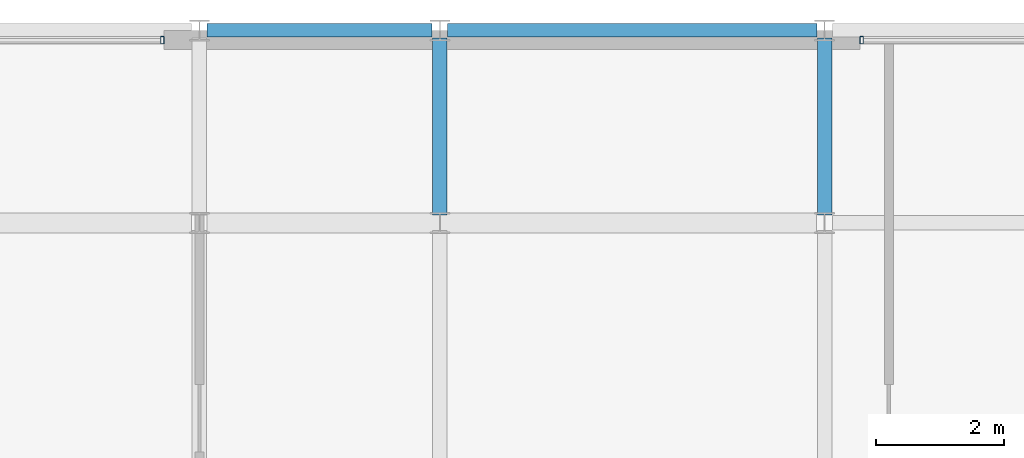
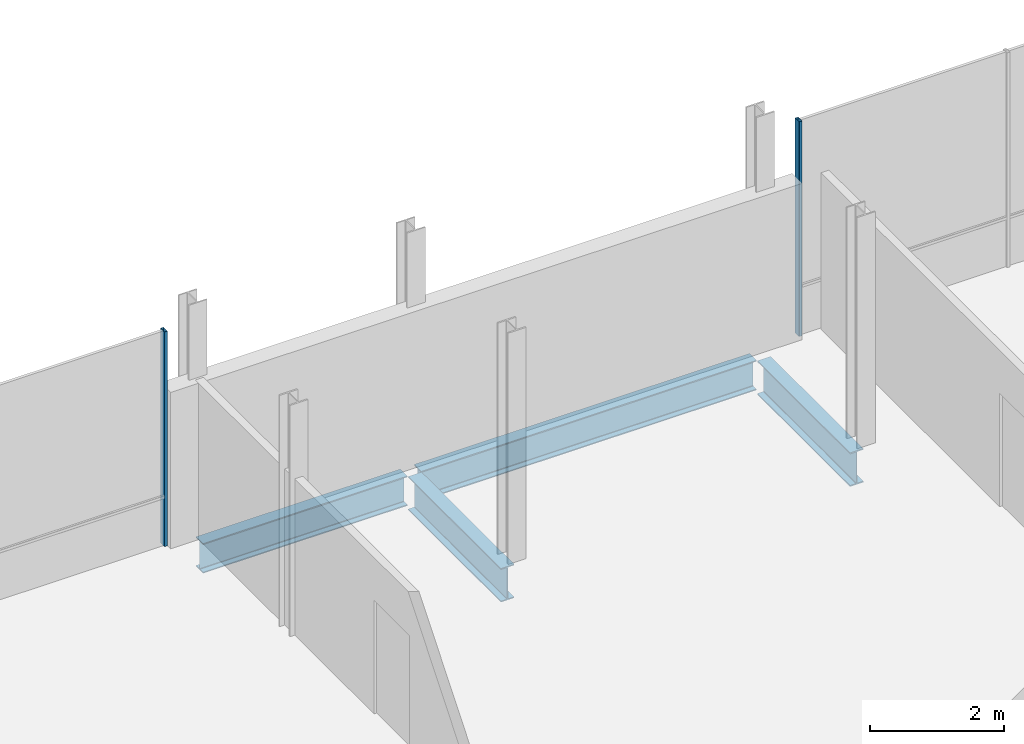
# One storey, part 4 of 11: 4 beams, 2 members, 2 elements without a shape of their own.
"""IFC4 building model written with IfcOpenShell, lengths in metres."""

from ifc_helpers import new_model, si_unit, direction, frame, origin, origin_2d, place, context, subcontext, project, spatial, hollow_rectangle, i_section, extrude, material, layer, layer_set, material_profile, profile_set, type_object, element, aggregate, save


model = new_model("IFC4")

# Units and contexts
model_context = context("Model", 3, precision=1e-05, world=origin(), true_north=direction((0.0, 1.0)))
body_context = subcontext(model_context, "Body", "Model", "MODEL_VIEW")
ifc_project = project(units=[si_unit("LENGTHUNIT", "METRE"), si_unit("AREAUNIT", "SQUARE_METRE"), si_unit("VOLUMEUNIT", "CUBIC_METRE"), si_unit("PLANEANGLEUNIT", "RADIAN"), si_unit("MASSUNIT", "GRAM", prefix="KILO")], contexts=[model_context])

# Site, building, storey
site_placement = place(None, origin())
site = spatial("IfcSite", under=ifc_project, at=site_placement, CompositionType="ELEMENT")
building_placement = place(site_placement, origin())
building = spatial("IfcBuilding", under=site, at=building_placement, Name="Brevholm Reach", CompositionType="ELEMENT")
storey_placement = place(building_placement, frame((0.0, 0.0, 247.25)))
storey = spatial("IfcBuildingStorey", under=building, at=storey_placement, Name="L75", CompositionType="ELEMENT", Elevation=247.25)

# Beams
ifc_material_1 = material(Name="Structural Steel S355J2", Category="steel")
ifc_material_profile_1 = material_profile(ifc_material_1, i_section(OverallWidth=0.210693359375, OverallDepth=0.53955078125, WebThickness=0.01171875, FlangeThickness=0.018798828125, FilletRadius=0.0126953125, at=origin_2d()), Name="UKB 533x210x109")
ifc_profile_set_1 = profile_set([ifc_material_profile_1], Name="Structural Steel S355J2")
beam_type_1 = type_object("IfcBeamType", Name="BM-SP539", PredefinedType="SPANDREL", material=ifc_profile_set_1)
beam_1_placement = place(storey_placement, frame((38.3701171875, 26.5, -0.52978515625), z_axis=(1.0, 0.0, 0.0), x_axis=(0.0, 1.0, 0.0)))
element("IfcBeam", 1, at=beam_1_placement, inside=storey, type_object=beam_type_1, Name="L75 SP-01B Framing Beam", PredefinedType="SPANDREL", context=body_context, shape_type="SweptSolid", body=[
    extrude(i_section(OverallWidth=0.210693359375, OverallDepth=0.53955078125, WebThickness=0.01171875, FlangeThickness=0.018798828125, FilletRadius=0.0126953125, at=origin_2d()), origin(), (0.0, 0.0, 1.0), 3.509765625),
])
beam_2_placement = place(storey_placement, frame((42.1201171875, 26.5, -0.52978515625), z_axis=(1.0, 0.0, 0.0), x_axis=(0.0, 1.0, 0.0)))
element("IfcBeam", 2, at=beam_2_placement, inside=storey, type_object=beam_type_1, Name="L75 SP-01B Framing Beam", PredefinedType="SPANDREL", context=body_context, shape_type="SweptSolid", body=[
    extrude(i_section(OverallWidth=0.210693359375, OverallDepth=0.53955078125, WebThickness=0.01171875, FlangeThickness=0.018798828125, FilletRadius=0.0126953125, at=origin_2d()), origin(), (0.0, 0.0, 1.0), 5.759765625),
])
ifc_material_2 = material(Name="Structural Steel S355J2", Category="steel")
ifc_material_profile_2 = material_profile(ifc_material_2, i_section(OverallWidth=0.22900390625, OverallDepth=0.6123046875, WebThickness=0.011962890625, FlangeThickness=0.01953125, FilletRadius=0.0126953125, at=origin_2d()), Name="UKB 610x229x125")
ifc_profile_set_2 = profile_set([ifc_material_profile_2], Name="Structural Steel S355J2")
beam_type_2 = type_object("IfcBeamType", Name="BM-SP610", PredefinedType="SPANDREL", material=ifc_profile_set_2)
for number, where, z_axis, x_axis, name in (
    (3, (42.0, 23.6201171875, -0.566162109375), (0.0, 1.0, 0.0), (-1.0, 0.0, 0.0), "L75 SP-01 Framing Beam"),
    (4, (48.0, 23.6201171875, -0.566162109375), (0.0, 1.0, 0.0), (-1.0, 0.0, 0.0), "L75 SP-01 Framing Beam"),
):
    element("IfcBeam", number, at=place(storey_placement, frame(where, z_axis=z_axis, x_axis=x_axis)), inside=storey, type_object=beam_type_2, Name=name, PredefinedType="SPANDREL", context=body_context, shape_type="SweptSolid", body=[
        extrude(i_section(OverallWidth=0.22900390625, OverallDepth=0.6123046875, WebThickness=0.011962890625, FlangeThickness=0.01953125, FilletRadius=0.0126953125, at=origin_2d()), origin(), (0.0, 0.0, 1.0), 2.759765625),
    ])

# Curtain wall, member
ifc_material_3 = material(Name="Dark Anodised Aluminium 6063-T6 and Solar-Control Glass", Category="aluminium")
ifc_layer = layer(ifc_material_3, 0.1201171875)
ifc_layer_set = layer_set([ifc_layer], Name="Dark Anodised Aluminium 6063-T6 and Solar-Control Glass")
curtain_wall_type = type_object("IfcCurtainWallType", Name="CW-06", PredefinedType="NOTDEFINED", material=ifc_layer_set)
curtain_wall_1_placement = place(storey_placement, origin())
curtain_wall_1 = element("IfcCurtainWall", 5, at=curtain_wall_1_placement, inside=storey, type_object=curtain_wall_type, Name="L75 Curtain Wall CW-06", PredefinedType="NOTDEFINED")
ifc_material_4 = material(Name="Dark Anodised Aluminium 6063-T6", Category="aluminium")
ifc_material_profile_3 = material_profile(ifc_material_4, hollow_rectangle(XDim=0.054931640625, YDim=0.1201171875, WallThickness=0.00390625, InnerFilletRadius=0.00390625, OuterFilletRadius=0.008056640625, at=origin_2d()), Name="RHS 120x55x4")
ifc_profile_set_3 = profile_set([ifc_material_profile_3], Name="Dark Anodised Aluminium 6063-T6")
member_type = type_object("IfcMemberType", Name="CWM-120", PredefinedType="MULLION", material=ifc_profile_set_3)
member_1_placement = place(storey_placement, frame((37.672607421875, 26.35009765625, 0.0), z_axis=(0.0, 0.0, 1.0), x_axis=(1.0, 0.0, 0.0)))
member_1 = element("IfcMember", 6, at=member_1_placement, type_object=member_type, Name="CM-120 Mullion 3", PredefinedType="MULLION", context=body_context, shape_type="SweptSolid", body=[
    extrude(hollow_rectangle(XDim=0.054931640625, YDim=0.1201171875, WallThickness=0.00390625, InnerFilletRadius=0.00390625, OuterFilletRadius=0.008056640625, at=origin_2d()), origin(), (0.0, 0.0, 1.0), 3.89990234375),
])
aggregate(curtain_wall_1, [member_1])

curtain_wall_2_placement = place(storey_placement, origin())
curtain_wall_2 = element("IfcCurtainWall", 7, at=curtain_wall_2_placement, inside=storey, type_object=curtain_wall_type, Name="L75 Curtain Wall CW-06", PredefinedType="NOTDEFINED")
member_2_placement = place(storey_placement, frame((48.577392578125, 26.35009765625, 0.0), z_axis=(0.0, 0.0, 1.0), x_axis=(1.0, 0.0, 0.0)))
member_2 = element("IfcMember", 8, at=member_2_placement, type_object=member_type, Name="CM-120 Mullion 1", PredefinedType="MULLION", context=body_context, shape_type="SweptSolid", body=[
    extrude(hollow_rectangle(XDim=0.054931640625, YDim=0.1201171875, WallThickness=0.00390625, InnerFilletRadius=0.00390625, OuterFilletRadius=0.008056640625, at=origin_2d()), origin(), (0.0, 0.0, 1.0), 3.89990234375),
])
aggregate(curtain_wall_2, [member_2])

save(model, "model.ifc")
